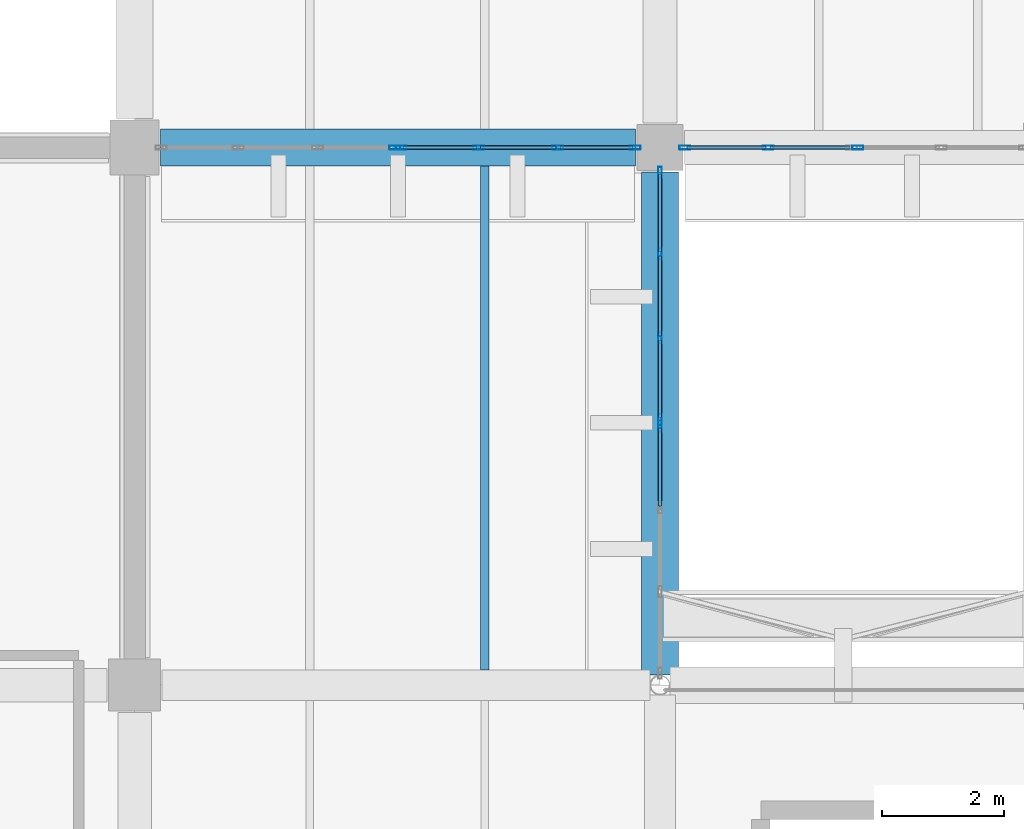
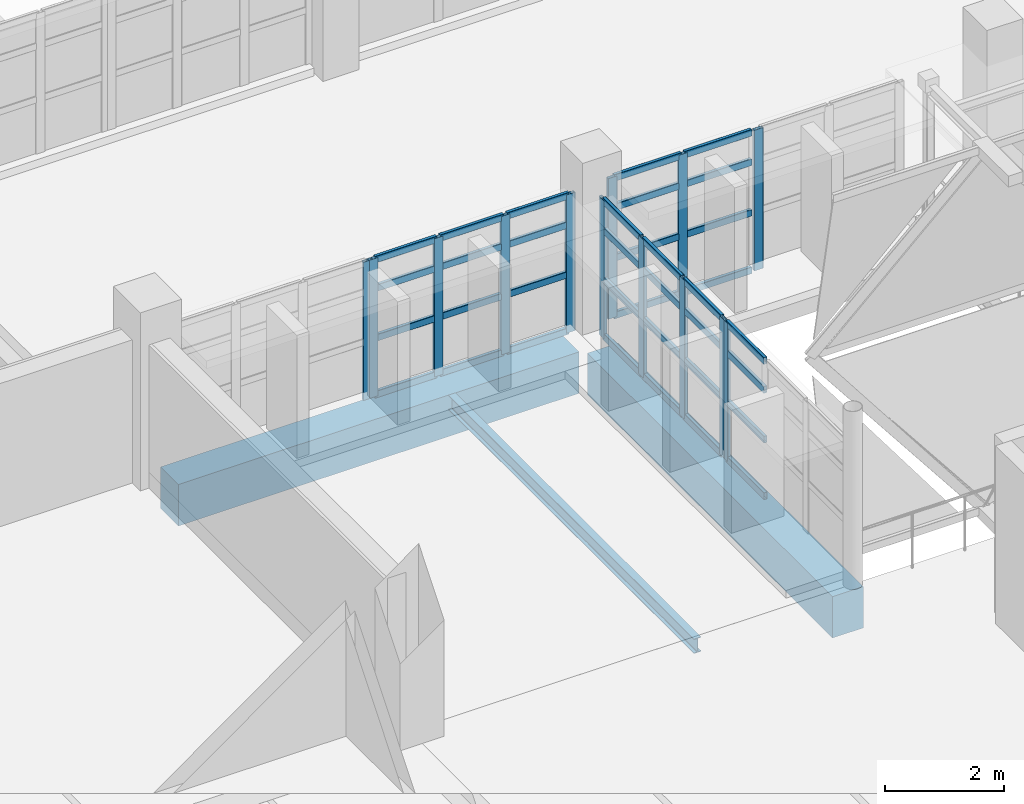
# One storey, part 23 of 80: 49 members, 3 beams, 6 elements without a shape of their own.
"""IFC4 building model written with IfcOpenShell, lengths in metres."""

from ifc_helpers import new_model, si_unit, direction, frame, origin, origin_2d, place, context, subcontext, project, spatial, rectangle, hollow_rectangle, i_section, extrude, material, material_profile, profile_set, type_object, element, aggregate, save


model = new_model("IFC4")

# Units and contexts
model_context = context("Model", 3, precision=1e-05, world=origin(), true_north=direction((0.0, 1.0)))
body_context = subcontext(model_context, "Body", "Model", "MODEL_VIEW")
ifc_project = project(units=[si_unit("LENGTHUNIT", "METRE"), si_unit("AREAUNIT", "SQUARE_METRE"), si_unit("VOLUMEUNIT", "CUBIC_METRE"), si_unit("PLANEANGLEUNIT", "RADIAN"), si_unit("MASSUNIT", "GRAM", prefix="KILO")], contexts=[model_context])

# Site, building, storey
site_placement = place(None, origin())
site = spatial("IfcSite", under=ifc_project, at=site_placement, CompositionType="ELEMENT")
building_placement = place(site_placement, origin())
building = spatial("IfcBuilding", under=site, at=building_placement, Name="Varnakota Cinema and Media Centre", CompositionType="ELEMENT")
storey_placement = place(building_placement, frame((0.0, 0.0, 4.5)))
storey = spatial("IfcBuildingStorey", under=building, at=storey_placement, Name="L01", CompositionType="ELEMENT", Elevation=4.5)

# Beams
ifc_material_1 = material(Name="Concrete M35", Category="concrete")
ifc_material_profile_1 = material_profile(ifc_material_1, rectangle(XDim=0.60009765625, YDim=0.85009765625, at=origin_2d()), Name="RCB 600x850")
ifc_profile_set_1 = profile_set([ifc_material_profile_1], Name="Concrete M35")
beam_type_1 = type_object("IfcBeamType", Name="BM-RC-600x850", PredefinedType="BEAM", material=ifc_profile_set_1)
beam_1_placement = place(storey_placement, frame((43.425048828125, 35.199951171875, -0.675048828125), z_axis=(1.0, 0.0, 0.0), x_axis=(0.0, 1.0, 0.0)))
element("IfcBeam", 1, at=beam_1_placement, inside=storey, type_object=beam_type_1, Name="L01 girder F-G/5", PredefinedType="BEAM", context=body_context, shape_type="SweptSolid", body=[
    extrude(rectangle(XDim=0.60009765625, YDim=0.85009765625, at=origin_2d()), origin(), (0.0, 0.0, 1.0), 7.77490234375),
])
beam_2_placement = place(storey_placement, frame((51.60009765625, 26.56201171875, -0.675048828125), z_axis=(0.0, 1.0, 0.0), x_axis=(-1.0, 0.0, 0.0)))
element("IfcBeam", 2, at=beam_2_placement, inside=storey, type_object=beam_type_1, Name="L01 girder G/4-5", PredefinedType="BEAM", context=body_context, shape_type="SweptSolid", body=[
    extrude(rectangle(XDim=0.60009765625, YDim=0.85009765625, at=origin_2d()), origin(), (0.0, 0.0, 1.0), 8.238037109375),
])
ifc_material_2 = material(Name="Structural steel Grade 350 (E350)", Category="steel")
ifc_material_profile_2 = material_profile(ifc_material_2, i_section(OverallWidth=0.139892578125, OverallDepth=0.300048828125, WebThickness=0.0078125, FlangeThickness=0.01318359375, FilletRadius=0.013916015625, at=origin_2d()), Name="ISMB 300")
ifc_profile_set_2 = profile_set([ifc_material_profile_2], Name="Structural steel Grade 350 (E350)")
beam_type_2 = type_object("IfcBeamType", Name="BM-ST-ISMB300", PredefinedType="JOIST", material=ifc_profile_set_2)
beam_3_placement = place(storey_placement, frame((48.7333984375, 26.64990234375, -0.39990234375), z_axis=(0.0, 1.0, 0.0), x_axis=(-1.0, 0.0, 0.0)))
element("IfcBeam", 3, at=beam_3_placement, inside=storey, type_object=beam_type_2, Name="L01 steel joist F-G/4-5 #2", PredefinedType="JOIST", context=body_context, shape_type="SweptSolid", body=[
    extrude(i_section(OverallWidth=0.139892578125, OverallDepth=0.300048828125, WebThickness=0.0078125, FlangeThickness=0.01318359375, FilletRadius=0.013916015625, at=origin_2d()), origin(), (0.0, 0.0, 1.0), 8.25),
])

# Curtain wall, member
ifc_material_3 = material(Name="Thermally broken anodised aluminium AW-6063", Category="aluminium")
curtain_wall_type_1 = type_object("IfcCurtainWallType", Name="CW-STD-279x288", PredefinedType="USERDEFINED", material=ifc_material_3)
curtain_wall_1_placement = place(storey_placement, origin())
curtain_wall_1 = element("IfcCurtainWall", 4, at=curtain_wall_1_placement, inside=storey, type_object=curtain_wall_type_1, Name="L01 curtain wall CW-L01-LINK-S-W-01-1", ObjectType="UNITISED CURTAIN WALL", PredefinedType="USERDEFINED")
ifc_material_4 = material(Name="Thermally broken anodised aluminium AW-6063", Category="aluminium")
ifc_material_profile_3 = material_profile(ifc_material_4, hollow_rectangle(XDim=0.06494140625, YDim=0.179931640625, WallThickness=0.00390625, InnerFilletRadius=0.00390625, OuterFilletRadius=0.008056640625, at=origin_2d()), Name="AL-MULLION 180x65x4")
ifc_profile_set_3 = profile_set([ifc_material_profile_3], Name="Thermally broken anodised aluminium AW-6063")
member_type_1 = type_object("IfcMemberType", Name="CWM-AL-180", PredefinedType="MULLION", material=ifc_profile_set_3)
member_1_placement = place(storey_placement, frame((54.840087890625, 35.199951171875, 0.0), z_axis=(0.0, 0.0, 1.0), x_axis=(0.0, -1.0, 0.0)))
member_1 = element("IfcMember", 5, at=member_1_placement, type_object=member_type_1, Name="CW20 mullion 3", PredefinedType="MULLION", context=body_context, shape_type="SweptSolid", body=[
    extrude(hollow_rectangle(XDim=0.06494140625, YDim=0.179931640625, WallThickness=0.00390625, InnerFilletRadius=0.00390625, OuterFilletRadius=0.008056640625, at=origin_2d()), origin(), (0.0, 0.0, 1.0), 2.885009765625),
])
aggregate(curtain_wall_1, [member_1])

# Curtain wall, members
curtain_wall_2_placement = place(storey_placement, origin())
curtain_wall_2 = element("IfcCurtainWall", 6, at=curtain_wall_2_placement, inside=storey, type_object=curtain_wall_type_1, Name="L01 curtain wall CW-L01-LINK-S-W-01-2", ObjectType="UNITISED CURTAIN WALL", PredefinedType="USERDEFINED")
member_2_placement = place(storey_placement, frame((53.371337890625, 35.199951171875, 0.0), z_axis=(0.0, 0.0, 1.0), x_axis=(0.0, -1.0, 0.0)))
member_2 = element("IfcMember", 7, at=member_2_placement, type_object=member_type_1, Name="CW20 mullion 2", PredefinedType="MULLION", context=body_context, shape_type="SweptSolid", body=[
    extrude(hollow_rectangle(XDim=0.06494140625, YDim=0.179931640625, WallThickness=0.00390625, InnerFilletRadius=0.00390625, OuterFilletRadius=0.008056640625, at=origin_2d()), origin(), (0.0, 0.0, 1.0), 2.885009765625),
])
member_3_placement = place(storey_placement, frame((52.007568359375, 35.199951171875, 0.0), z_axis=(0.0, 0.0, 1.0), x_axis=(0.0, -1.0, 0.0)))
member_3 = element("IfcMember", 8, at=member_3_placement, type_object=member_type_1, Name="CW20 mullion 3", PredefinedType="MULLION", context=body_context, shape_type="SweptSolid", body=[
    extrude(hollow_rectangle(XDim=0.06494140625, YDim=0.179931640625, WallThickness=0.00390625, InnerFilletRadius=0.00390625, OuterFilletRadius=0.008056640625, at=origin_2d()), origin(), (0.0, 0.0, 1.0), 2.885009765625),
])

ifc_material_5 = material(Name="Thermally broken anodised aluminium AW-6063", Category="aluminium")
curtain_wall_type_2 = type_object("IfcCurtainWallType", Name="CW-STD-389x284", PredefinedType="USERDEFINED", material=ifc_material_5)
curtain_wall_3_placement = place(storey_placement, origin())
curtain_wall_3 = element("IfcCurtainWall", 9, at=curtain_wall_3_placement, inside=storey, type_object=curtain_wall_type_2, Name="L01 curtain wall CW-L01-LINK-S-W-02-1", ObjectType="UNITISED CURTAIN WALL", PredefinedType="USERDEFINED")
member_4_placement = place(storey_placement, frame((51.1923828125, 35.199951171875, 0.0), z_axis=(0.0, 0.0, 1.0), x_axis=(0.0, -1.0, 0.0)))
member_4 = element("IfcMember", 10, at=member_4_placement, type_object=member_type_1, Name="CW21 mullion 1", PredefinedType="MULLION", context=body_context, shape_type="SweptSolid", body=[
    extrude(hollow_rectangle(XDim=0.06494140625, YDim=0.179931640625, WallThickness=0.00390625, InnerFilletRadius=0.00390625, OuterFilletRadius=0.008056640625, at=origin_2d()), origin(), (0.0, 0.0, 1.0), 2.8349609375),
])
member_5_placement = place(storey_placement, frame((49.927490234375, 35.199951171875, 0.0), z_axis=(0.0, 0.0, 1.0), x_axis=(0.0, -1.0, 0.0)))
member_5 = element("IfcMember", 11, at=member_5_placement, type_object=member_type_1, Name="CW21 mullion 2", PredefinedType="MULLION", context=body_context, shape_type="SweptSolid", body=[
    extrude(hollow_rectangle(XDim=0.06494140625, YDim=0.179931640625, WallThickness=0.00390625, InnerFilletRadius=0.00390625, OuterFilletRadius=0.008056640625, at=origin_2d()), origin(), (0.0, 0.0, 1.0), 2.8349609375),
])
member_6_placement = place(storey_placement, frame((48.6298828125, 35.199951171875, 0.0), z_axis=(0.0, 0.0, 1.0), x_axis=(0.0, -1.0, 0.0)))
member_6 = element("IfcMember", 12, at=member_6_placement, type_object=member_type_1, Name="CW21 mullion 3", PredefinedType="MULLION", context=body_context, shape_type="SweptSolid", body=[
    extrude(hollow_rectangle(XDim=0.06494140625, YDim=0.179931640625, WallThickness=0.00390625, InnerFilletRadius=0.00390625, OuterFilletRadius=0.008056640625, at=origin_2d()), origin(), (0.0, 0.0, 1.0), 2.8349609375),
])
member_7_placement = place(storey_placement, frame((47.364990234375, 35.199951171875, 0.0), z_axis=(0.0, 0.0, 1.0), x_axis=(0.0, -1.0, 0.0)))
member_7 = element("IfcMember", 13, at=member_7_placement, type_object=member_type_1, Name="CW21 mullion 4", PredefinedType="MULLION", context=body_context, shape_type="SweptSolid", body=[
    extrude(hollow_rectangle(XDim=0.06494140625, YDim=0.179931640625, WallThickness=0.00390625, InnerFilletRadius=0.00390625, OuterFilletRadius=0.008056640625, at=origin_2d()), origin(), (0.0, 0.0, 1.0), 2.8349609375),
])

# Curtain wall, member
curtain_wall_4_placement = place(storey_placement, origin())
curtain_wall_4 = element("IfcCurtainWall", 14, at=curtain_wall_4_placement, inside=storey, type_object=curtain_wall_type_2, Name="L01 curtain wall CW-L01-LINK-S-W-02-2", ObjectType="UNITISED CURTAIN WALL", PredefinedType="USERDEFINED")
member_8_placement = place(storey_placement, frame((47.260009765625, 35.199951171875, 0.0), z_axis=(0.0, 0.0, 1.0), x_axis=(0.0, -1.0, 0.0)))
member_8 = element("IfcMember", 15, at=member_8_placement, type_object=member_type_1, Name="CW21 mullion 1", PredefinedType="MULLION", context=body_context, shape_type="SweptSolid", body=[
    extrude(hollow_rectangle(XDim=0.06494140625, YDim=0.179931640625, WallThickness=0.00390625, InnerFilletRadius=0.00390625, OuterFilletRadius=0.008056640625, at=origin_2d()), origin(), (0.0, 0.0, 1.0), 2.8349609375),
])
aggregate(curtain_wall_4, [member_8])

ifc_material_6 = material(Name="Thermally broken anodised aluminium AW-6063", Category="aluminium")
curtain_wall_type_3 = type_object("IfcCurtainWallType", Name="CW-STD-411x284", PredefinedType="USERDEFINED", material=ifc_material_6)
curtain_wall_5_placement = place(storey_placement, origin())
curtain_wall_5 = element("IfcCurtainWall", 16, at=curtain_wall_5_placement, inside=storey, type_object=curtain_wall_type_3, Name="L01 curtain wall CW-L01-WLINK-E-01-1", ObjectType="UNITISED CURTAIN WALL", PredefinedType="USERDEFINED")
member_9_placement = place(storey_placement, frame((51.60009765625, 30.64111328125, 0.0), z_axis=(0.0, 0.0, 1.0), x_axis=(-1.0, 0.0, 0.0)))
member_9 = element("IfcMember", 17, at=member_9_placement, type_object=member_type_1, Name="CW24 mullion 4", PredefinedType="MULLION", context=body_context, shape_type="SweptSolid", body=[
    extrude(hollow_rectangle(XDim=0.06494140625, YDim=0.179931640625, WallThickness=0.00390625, InnerFilletRadius=0.00390625, OuterFilletRadius=0.008056640625, at=origin_2d()), origin(), (0.0, 0.0, 1.0), 2.8349609375),
])

# Curtain wall, members
curtain_wall_6_placement = place(storey_placement, origin())
curtain_wall_6 = element("IfcCurtainWall", 18, at=curtain_wall_6_placement, inside=storey, type_object=curtain_wall_type_3, Name="L01 curtain wall CW-L01-WLINK-E-01-2", ObjectType="UNITISED CURTAIN WALL", PredefinedType="USERDEFINED")
member_10_placement = place(storey_placement, frame((51.60009765625, 30.74609375, 0.0), z_axis=(0.0, 0.0, 1.0), x_axis=(-1.0, 0.0, 0.0)))
member_10 = element("IfcMember", 19, at=member_10_placement, type_object=member_type_1, Name="CW24 mullion 1", PredefinedType="MULLION", context=body_context, shape_type="SweptSolid", body=[
    extrude(hollow_rectangle(XDim=0.06494140625, YDim=0.179931640625, WallThickness=0.00390625, InnerFilletRadius=0.00390625, OuterFilletRadius=0.008056640625, at=origin_2d()), origin(), (0.0, 0.0, 1.0), 2.8349609375),
])
member_11_placement = place(storey_placement, frame((51.60009765625, 32.083984375, 0.0), z_axis=(0.0, 0.0, 1.0), x_axis=(-1.0, 0.0, 0.0)))
member_11 = element("IfcMember", 20, at=member_11_placement, type_object=member_type_1, Name="CW24 mullion 2", PredefinedType="MULLION", context=body_context, shape_type="SweptSolid", body=[
    extrude(hollow_rectangle(XDim=0.06494140625, YDim=0.179931640625, WallThickness=0.00390625, InnerFilletRadius=0.00390625, OuterFilletRadius=0.008056640625, at=origin_2d()), origin(), (0.0, 0.0, 1.0), 2.8349609375),
])
member_12_placement = place(storey_placement, frame((51.60009765625, 33.45458984375, 0.0), z_axis=(0.0, 0.0, 1.0), x_axis=(-1.0, 0.0, 0.0)))
member_12 = element("IfcMember", 21, at=member_12_placement, type_object=member_type_1, Name="CW24 mullion 3", PredefinedType="MULLION", context=body_context, shape_type="SweptSolid", body=[
    extrude(hollow_rectangle(XDim=0.06494140625, YDim=0.179931640625, WallThickness=0.00390625, InnerFilletRadius=0.00390625, OuterFilletRadius=0.008056640625, at=origin_2d()), origin(), (0.0, 0.0, 1.0), 2.8349609375),
])
member_13_placement = place(storey_placement, frame((51.60009765625, 34.79248046875, 0.0), z_axis=(0.0, 0.0, 1.0), x_axis=(-1.0, 0.0, 0.0)))
member_13 = element("IfcMember", 22, at=member_13_placement, type_object=member_type_1, Name="CW24 mullion 4", PredefinedType="MULLION", context=body_context, shape_type="SweptSolid", body=[
    extrude(hollow_rectangle(XDim=0.06494140625, YDim=0.179931640625, WallThickness=0.00390625, InnerFilletRadius=0.00390625, OuterFilletRadius=0.008056640625, at=origin_2d()), origin(), (0.0, 0.0, 1.0), 2.8349609375),
])

# Member
ifc_material_7 = material(Name="Thermally broken anodised aluminium AW-6063", Category="aluminium")
ifc_material_profile_4 = material_profile(ifc_material_7, hollow_rectangle(XDim=0.06494140625, YDim=0.139892578125, WallThickness=0.00390625, InnerFilletRadius=0.00390625, OuterFilletRadius=0.008056640625, at=origin_2d()), Name="AL-TRANSOM 140x65x4")
ifc_profile_set_4 = profile_set([ifc_material_profile_4], Name="Thermally broken anodised aluminium AW-6063")
member_type_2 = type_object("IfcMemberType", Name="CWT-AL-140", PredefinedType="USERDEFINED", material=ifc_profile_set_4)
member_14_placement = place(storey_placement, frame((54.702392578125, 35.199951171875, 0.032470703125), z_axis=(-1.0, 0.0, 0.0), x_axis=(0.0, -1.0, 0.0)))
member_14 = element("IfcMember", 23, at=member_14_placement, type_object=member_type_2, Name="CW20 transom 1.1", ObjectType="TRANSOM", PredefinedType="USERDEFINED", context=body_context, shape_type="SweptSolid", body=[
    extrude(hollow_rectangle(XDim=0.06494140625, YDim=0.139892578125, WallThickness=0.00390625, InnerFilletRadius=0.00390625, OuterFilletRadius=0.008056640625, at=origin_2d()), origin(), (0.0, 0.0, 1.0), 1.298583984375),
])

member_15_placement = place(storey_placement, frame((54.702392578125, 35.199951171875, 1.211669921875), z_axis=(-1.0, 0.0, 0.0), x_axis=(0.0, -1.0, 0.0)))
member_15 = element("IfcMember", 24, at=member_15_placement, type_object=member_type_2, Name="CW20 transom 1.2", ObjectType="TRANSOM", PredefinedType="USERDEFINED", context=body_context, shape_type="SweptSolid", body=[
    extrude(hollow_rectangle(XDim=0.06494140625, YDim=0.139892578125, WallThickness=0.00390625, InnerFilletRadius=0.00390625, OuterFilletRadius=0.008056640625, at=origin_2d()), origin(), (0.0, 0.0, 1.0), 1.298583984375),
])

member_16_placement = place(storey_placement, frame((54.702392578125, 35.199951171875, 2.250244140625), z_axis=(-1.0, 0.0, 0.0), x_axis=(0.0, -1.0, 0.0)))
member_16 = element("IfcMember", 25, at=member_16_placement, type_object=member_type_2, Name="CW20 transom 1.3", ObjectType="TRANSOM", PredefinedType="USERDEFINED", context=body_context, shape_type="SweptSolid", body=[
    extrude(hollow_rectangle(XDim=0.06494140625, YDim=0.139892578125, WallThickness=0.00390625, InnerFilletRadius=0.00390625, OuterFilletRadius=0.008056640625, at=origin_2d()), origin(), (0.0, 0.0, 1.0), 1.298583984375),
])

member_17_placement = place(storey_placement, frame((54.702392578125, 35.199951171875, 2.8525390625), z_axis=(-1.0, 0.0, 0.0), x_axis=(0.0, -1.0, 0.0)))
member_17 = element("IfcMember", 26, at=member_17_placement, type_object=member_type_2, Name="CW20 transom 1.4", ObjectType="TRANSOM", PredefinedType="USERDEFINED", context=body_context, shape_type="SweptSolid", body=[
    extrude(hollow_rectangle(XDim=0.06494140625, YDim=0.139892578125, WallThickness=0.00390625, InnerFilletRadius=0.00390625, OuterFilletRadius=0.008056640625, at=origin_2d()), origin(), (0.0, 0.0, 1.0), 1.298583984375),
])

member_18_placement = place(storey_placement, frame((53.3388671875, 35.199951171875, 0.032470703125), z_axis=(-1.0, 0.0, 0.0), x_axis=(0.0, -1.0, 0.0)))
member_18 = element("IfcMember", 27, at=member_18_placement, type_object=member_type_2, Name="CW20 transom 2.1", ObjectType="TRANSOM", PredefinedType="USERDEFINED", context=body_context, shape_type="SweptSolid", body=[
    extrude(hollow_rectangle(XDim=0.06494140625, YDim=0.139892578125, WallThickness=0.00390625, InnerFilletRadius=0.00390625, OuterFilletRadius=0.008056640625, at=origin_2d()), origin(), (0.0, 0.0, 1.0), 1.298828125),
])

member_19_placement = place(storey_placement, frame((53.3388671875, 35.199951171875, 1.211669921875), z_axis=(-1.0, 0.0, 0.0), x_axis=(0.0, -1.0, 0.0)))
member_19 = element("IfcMember", 28, at=member_19_placement, type_object=member_type_2, Name="CW20 transom 2.2", ObjectType="TRANSOM", PredefinedType="USERDEFINED", context=body_context, shape_type="SweptSolid", body=[
    extrude(hollow_rectangle(XDim=0.06494140625, YDim=0.139892578125, WallThickness=0.00390625, InnerFilletRadius=0.00390625, OuterFilletRadius=0.008056640625, at=origin_2d()), origin(), (0.0, 0.0, 1.0), 1.298828125),
])

member_20_placement = place(storey_placement, frame((53.3388671875, 35.199951171875, 2.250244140625), z_axis=(-1.0, 0.0, 0.0), x_axis=(0.0, -1.0, 0.0)))
member_20 = element("IfcMember", 29, at=member_20_placement, type_object=member_type_2, Name="CW20 transom 2.3", ObjectType="TRANSOM", PredefinedType="USERDEFINED", context=body_context, shape_type="SweptSolid", body=[
    extrude(hollow_rectangle(XDim=0.06494140625, YDim=0.139892578125, WallThickness=0.00390625, InnerFilletRadius=0.00390625, OuterFilletRadius=0.008056640625, at=origin_2d()), origin(), (0.0, 0.0, 1.0), 1.298828125),
])

member_21_placement = place(storey_placement, frame((53.3388671875, 35.199951171875, 2.8525390625), z_axis=(-1.0, 0.0, 0.0), x_axis=(0.0, -1.0, 0.0)))
member_21 = element("IfcMember", 30, at=member_21_placement, type_object=member_type_2, Name="CW20 transom 2.4", ObjectType="TRANSOM", PredefinedType="USERDEFINED", context=body_context, shape_type="SweptSolid", body=[
    extrude(hollow_rectangle(XDim=0.06494140625, YDim=0.139892578125, WallThickness=0.00390625, InnerFilletRadius=0.00390625, OuterFilletRadius=0.008056640625, at=origin_2d()), origin(), (0.0, 0.0, 1.0), 1.298828125),
])

aggregate(curtain_wall_2, [member_2, member_3, member_14, member_15, member_16, member_17, member_18, member_19, member_20, member_21])

member_22_placement = place(storey_placement, frame((51.159912109375, 35.199951171875, 0.032470703125), z_axis=(-1.0, 0.0, 0.0), x_axis=(0.0, -1.0, 0.0)))
member_22 = element("IfcMember", 31, at=member_22_placement, type_object=member_type_2, Name="CW21 transom 1.1", ObjectType="TRANSOM", PredefinedType="USERDEFINED", context=body_context, shape_type="SweptSolid", body=[
    extrude(hollow_rectangle(XDim=0.06494140625, YDim=0.139892578125, WallThickness=0.00390625, InnerFilletRadius=0.00390625, OuterFilletRadius=0.008056640625, at=origin_2d()), origin(), (0.0, 0.0, 1.0), 1.199951171875),
])

member_23_placement = place(storey_placement, frame((51.159912109375, 35.199951171875, 1.190673828125), z_axis=(-1.0, 0.0, 0.0), x_axis=(0.0, -1.0, 0.0)))
member_23 = element("IfcMember", 32, at=member_23_placement, type_object=member_type_2, Name="CW21 transom 1.2", ObjectType="TRANSOM", PredefinedType="USERDEFINED", context=body_context, shape_type="SweptSolid", body=[
    extrude(hollow_rectangle(XDim=0.06494140625, YDim=0.139892578125, WallThickness=0.00390625, InnerFilletRadius=0.00390625, OuterFilletRadius=0.008056640625, at=origin_2d()), origin(), (0.0, 0.0, 1.0), 1.199951171875),
])

member_24_placement = place(storey_placement, frame((51.159912109375, 35.199951171875, 2.211181640625), z_axis=(-1.0, 0.0, 0.0), x_axis=(0.0, -1.0, 0.0)))
member_24 = element("IfcMember", 33, at=member_24_placement, type_object=member_type_2, Name="CW21 transom 1.3", ObjectType="TRANSOM", PredefinedType="USERDEFINED", context=body_context, shape_type="SweptSolid", body=[
    extrude(hollow_rectangle(XDim=0.06494140625, YDim=0.139892578125, WallThickness=0.00390625, InnerFilletRadius=0.00390625, OuterFilletRadius=0.008056640625, at=origin_2d()), origin(), (0.0, 0.0, 1.0), 1.199951171875),
])

member_25_placement = place(storey_placement, frame((51.159912109375, 35.199951171875, 2.802490234375), z_axis=(-1.0, 0.0, 0.0), x_axis=(0.0, -1.0, 0.0)))
member_25 = element("IfcMember", 34, at=member_25_placement, type_object=member_type_2, Name="CW21 transom 1.4", ObjectType="TRANSOM", PredefinedType="USERDEFINED", context=body_context, shape_type="SweptSolid", body=[
    extrude(hollow_rectangle(XDim=0.06494140625, YDim=0.139892578125, WallThickness=0.00390625, InnerFilletRadius=0.00390625, OuterFilletRadius=0.008056640625, at=origin_2d()), origin(), (0.0, 0.0, 1.0), 1.199951171875),
])

member_26_placement = place(storey_placement, frame((49.89501953125, 35.199951171875, 0.032470703125), z_axis=(-1.0, 0.0, 0.0), x_axis=(0.0, -1.0, 0.0)))
member_26 = element("IfcMember", 35, at=member_26_placement, type_object=member_type_2, Name="CW21 transom 2.1", ObjectType="TRANSOM", PredefinedType="USERDEFINED", context=body_context, shape_type="SweptSolid", body=[
    extrude(hollow_rectangle(XDim=0.06494140625, YDim=0.139892578125, WallThickness=0.00390625, InnerFilletRadius=0.00390625, OuterFilletRadius=0.008056640625, at=origin_2d()), origin(), (0.0, 0.0, 1.0), 1.232421875),
])

member_27_placement = place(storey_placement, frame((49.89501953125, 35.199951171875, 1.190673828125), z_axis=(-1.0, 0.0, 0.0), x_axis=(0.0, -1.0, 0.0)))
member_27 = element("IfcMember", 36, at=member_27_placement, type_object=member_type_2, Name="CW21 transom 2.2", ObjectType="TRANSOM", PredefinedType="USERDEFINED", context=body_context, shape_type="SweptSolid", body=[
    extrude(hollow_rectangle(XDim=0.06494140625, YDim=0.139892578125, WallThickness=0.00390625, InnerFilletRadius=0.00390625, OuterFilletRadius=0.008056640625, at=origin_2d()), origin(), (0.0, 0.0, 1.0), 1.232421875),
])

member_28_placement = place(storey_placement, frame((49.89501953125, 35.199951171875, 2.211181640625), z_axis=(-1.0, 0.0, 0.0), x_axis=(0.0, -1.0, 0.0)))
member_28 = element("IfcMember", 37, at=member_28_placement, type_object=member_type_2, Name="CW21 transom 2.3", ObjectType="TRANSOM", PredefinedType="USERDEFINED", context=body_context, shape_type="SweptSolid", body=[
    extrude(hollow_rectangle(XDim=0.06494140625, YDim=0.139892578125, WallThickness=0.00390625, InnerFilletRadius=0.00390625, OuterFilletRadius=0.008056640625, at=origin_2d()), origin(), (0.0, 0.0, 1.0), 1.232421875),
])

member_29_placement = place(storey_placement, frame((49.89501953125, 35.199951171875, 2.802490234375), z_axis=(-1.0, 0.0, 0.0), x_axis=(0.0, -1.0, 0.0)))
member_29 = element("IfcMember", 38, at=member_29_placement, type_object=member_type_2, Name="CW21 transom 2.4", ObjectType="TRANSOM", PredefinedType="USERDEFINED", context=body_context, shape_type="SweptSolid", body=[
    extrude(hollow_rectangle(XDim=0.06494140625, YDim=0.139892578125, WallThickness=0.00390625, InnerFilletRadius=0.00390625, OuterFilletRadius=0.008056640625, at=origin_2d()), origin(), (0.0, 0.0, 1.0), 1.232421875),
])

member_30_placement = place(storey_placement, frame((48.597412109375, 35.199951171875, 0.032470703125), z_axis=(-1.0, 0.0, 0.0), x_axis=(0.0, -1.0, 0.0)))
member_30 = element("IfcMember", 39, at=member_30_placement, type_object=member_type_2, Name="CW21 transom 3.1", ObjectType="TRANSOM", PredefinedType="USERDEFINED", context=body_context, shape_type="SweptSolid", body=[
    extrude(hollow_rectangle(XDim=0.06494140625, YDim=0.139892578125, WallThickness=0.00390625, InnerFilletRadius=0.00390625, OuterFilletRadius=0.008056640625, at=origin_2d()), origin(), (0.0, 0.0, 1.0), 1.199951171875),
])

member_31_placement = place(storey_placement, frame((48.597412109375, 35.199951171875, 1.190673828125), z_axis=(-1.0, 0.0, 0.0), x_axis=(0.0, -1.0, 0.0)))
member_31 = element("IfcMember", 40, at=member_31_placement, type_object=member_type_2, Name="CW21 transom 3.2", ObjectType="TRANSOM", PredefinedType="USERDEFINED", context=body_context, shape_type="SweptSolid", body=[
    extrude(hollow_rectangle(XDim=0.06494140625, YDim=0.139892578125, WallThickness=0.00390625, InnerFilletRadius=0.00390625, OuterFilletRadius=0.008056640625, at=origin_2d()), origin(), (0.0, 0.0, 1.0), 1.199951171875),
])

member_32_placement = place(storey_placement, frame((48.597412109375, 35.199951171875, 2.211181640625), z_axis=(-1.0, 0.0, 0.0), x_axis=(0.0, -1.0, 0.0)))
member_32 = element("IfcMember", 41, at=member_32_placement, type_object=member_type_2, Name="CW21 transom 3.3", ObjectType="TRANSOM", PredefinedType="USERDEFINED", context=body_context, shape_type="SweptSolid", body=[
    extrude(hollow_rectangle(XDim=0.06494140625, YDim=0.139892578125, WallThickness=0.00390625, InnerFilletRadius=0.00390625, OuterFilletRadius=0.008056640625, at=origin_2d()), origin(), (0.0, 0.0, 1.0), 1.199951171875),
])

member_33_placement = place(storey_placement, frame((48.597412109375, 35.199951171875, 2.802490234375), z_axis=(-1.0, 0.0, 0.0), x_axis=(0.0, -1.0, 0.0)))
member_33 = element("IfcMember", 42, at=member_33_placement, type_object=member_type_2, Name="CW21 transom 3.4", ObjectType="TRANSOM", PredefinedType="USERDEFINED", context=body_context, shape_type="SweptSolid", body=[
    extrude(hollow_rectangle(XDim=0.06494140625, YDim=0.139892578125, WallThickness=0.00390625, InnerFilletRadius=0.00390625, OuterFilletRadius=0.008056640625, at=origin_2d()), origin(), (0.0, 0.0, 1.0), 1.199951171875),
])

aggregate(curtain_wall_3, [member_4, member_5, member_6, member_7, member_22, member_23, member_24, member_25, member_26, member_27, member_28, member_29, member_30, member_31, member_32, member_33])

member_34_placement = place(storey_placement, frame((51.60009765625, 29.33544921875, 0.032470703125), z_axis=(0.0, 1.0, 0.0), x_axis=(-1.0, 0.0, 0.0)))
member_34 = element("IfcMember", 43, at=member_34_placement, type_object=member_type_2, Name="CW24 transom 3.1", ObjectType="TRANSOM", PredefinedType="USERDEFINED", context=body_context, shape_type="SweptSolid", body=[
    extrude(hollow_rectangle(XDim=0.06494140625, YDim=0.139892578125, WallThickness=0.00390625, InnerFilletRadius=0.00390625, OuterFilletRadius=0.008056640625, at=origin_2d()), origin(), (0.0, 0.0, 1.0), 1.27294921875),
])

member_35_placement = place(storey_placement, frame((51.60009765625, 29.33544921875, 1.190673828125), z_axis=(0.0, 1.0, 0.0), x_axis=(-1.0, 0.0, 0.0)))
member_35 = element("IfcMember", 44, at=member_35_placement, type_object=member_type_2, Name="CW24 transom 3.2", ObjectType="TRANSOM", PredefinedType="USERDEFINED", context=body_context, shape_type="SweptSolid", body=[
    extrude(hollow_rectangle(XDim=0.06494140625, YDim=0.139892578125, WallThickness=0.00390625, InnerFilletRadius=0.00390625, OuterFilletRadius=0.008056640625, at=origin_2d()), origin(), (0.0, 0.0, 1.0), 1.27294921875),
])

member_36_placement = place(storey_placement, frame((51.60009765625, 29.33544921875, 2.211181640625), z_axis=(0.0, 1.0, 0.0), x_axis=(-1.0, 0.0, 0.0)))
member_36 = element("IfcMember", 45, at=member_36_placement, type_object=member_type_2, Name="CW24 transom 3.3", ObjectType="TRANSOM", PredefinedType="USERDEFINED", context=body_context, shape_type="SweptSolid", body=[
    extrude(hollow_rectangle(XDim=0.06494140625, YDim=0.139892578125, WallThickness=0.00390625, InnerFilletRadius=0.00390625, OuterFilletRadius=0.008056640625, at=origin_2d()), origin(), (0.0, 0.0, 1.0), 1.27294921875),
])

member_37_placement = place(storey_placement, frame((51.60009765625, 29.33544921875, 2.802490234375), z_axis=(0.0, 1.0, 0.0), x_axis=(-1.0, 0.0, 0.0)))
member_37 = element("IfcMember", 46, at=member_37_placement, type_object=member_type_2, Name="CW24 transom 3.4", ObjectType="TRANSOM", PredefinedType="USERDEFINED", context=body_context, shape_type="SweptSolid", body=[
    extrude(hollow_rectangle(XDim=0.06494140625, YDim=0.139892578125, WallThickness=0.00390625, InnerFilletRadius=0.00390625, OuterFilletRadius=0.008056640625, at=origin_2d()), origin(), (0.0, 0.0, 1.0), 1.27294921875),
])

aggregate(curtain_wall_5, [member_9, member_34, member_35, member_36, member_37])

member_38_placement = place(storey_placement, frame((51.60009765625, 30.778564453125, 0.032470703125), z_axis=(0.0, 1.0, 0.0), x_axis=(-1.0, 0.0, 0.0)))
member_38 = element("IfcMember", 47, at=member_38_placement, type_object=member_type_2, Name="CW24 transom 1.1", ObjectType="TRANSOM", PredefinedType="USERDEFINED", context=body_context, shape_type="SweptSolid", body=[
    extrude(hollow_rectangle(XDim=0.06494140625, YDim=0.139892578125, WallThickness=0.00390625, InnerFilletRadius=0.00390625, OuterFilletRadius=0.008056640625, at=origin_2d()), origin(), (0.0, 0.0, 1.0), 1.27294921875),
])

member_39_placement = place(storey_placement, frame((51.60009765625, 30.778564453125, 1.190673828125), z_axis=(0.0, 1.0, 0.0), x_axis=(-1.0, 0.0, 0.0)))
member_39 = element("IfcMember", 48, at=member_39_placement, type_object=member_type_2, Name="CW24 transom 1.2", ObjectType="TRANSOM", PredefinedType="USERDEFINED", context=body_context, shape_type="SweptSolid", body=[
    extrude(hollow_rectangle(XDim=0.06494140625, YDim=0.139892578125, WallThickness=0.00390625, InnerFilletRadius=0.00390625, OuterFilletRadius=0.008056640625, at=origin_2d()), origin(), (0.0, 0.0, 1.0), 1.27294921875),
])

member_40_placement = place(storey_placement, frame((51.60009765625, 30.778564453125, 2.211181640625), z_axis=(0.0, 1.0, 0.0), x_axis=(-1.0, 0.0, 0.0)))
member_40 = element("IfcMember", 49, at=member_40_placement, type_object=member_type_2, Name="CW24 transom 1.3", ObjectType="TRANSOM", PredefinedType="USERDEFINED", context=body_context, shape_type="SweptSolid", body=[
    extrude(hollow_rectangle(XDim=0.06494140625, YDim=0.139892578125, WallThickness=0.00390625, InnerFilletRadius=0.00390625, OuterFilletRadius=0.008056640625, at=origin_2d()), origin(), (0.0, 0.0, 1.0), 1.27294921875),
])

member_41_placement = place(storey_placement, frame((51.60009765625, 30.778564453125, 2.802490234375), z_axis=(0.0, 1.0, 0.0), x_axis=(-1.0, 0.0, 0.0)))
member_41 = element("IfcMember", 50, at=member_41_placement, type_object=member_type_2, Name="CW24 transom 1.4", ObjectType="TRANSOM", PredefinedType="USERDEFINED", context=body_context, shape_type="SweptSolid", body=[
    extrude(hollow_rectangle(XDim=0.06494140625, YDim=0.139892578125, WallThickness=0.00390625, InnerFilletRadius=0.00390625, OuterFilletRadius=0.008056640625, at=origin_2d()), origin(), (0.0, 0.0, 1.0), 1.27294921875),
])

member_42_placement = place(storey_placement, frame((51.60009765625, 32.116455078125, 0.032470703125), z_axis=(0.0, 1.0, 0.0), x_axis=(-1.0, 0.0, 0.0)))
member_42 = element("IfcMember", 51, at=member_42_placement, type_object=member_type_2, Name="CW24 transom 2.1", ObjectType="TRANSOM", PredefinedType="USERDEFINED", context=body_context, shape_type="SweptSolid", body=[
    extrude(hollow_rectangle(XDim=0.06494140625, YDim=0.139892578125, WallThickness=0.00390625, InnerFilletRadius=0.00390625, OuterFilletRadius=0.008056640625, at=origin_2d()), origin(), (0.0, 0.0, 1.0), 1.3056640625),
])

member_43_placement = place(storey_placement, frame((51.60009765625, 32.116455078125, 1.190673828125), z_axis=(0.0, 1.0, 0.0), x_axis=(-1.0, 0.0, 0.0)))
member_43 = element("IfcMember", 52, at=member_43_placement, type_object=member_type_2, Name="CW24 transom 2.2", ObjectType="TRANSOM", PredefinedType="USERDEFINED", context=body_context, shape_type="SweptSolid", body=[
    extrude(hollow_rectangle(XDim=0.06494140625, YDim=0.139892578125, WallThickness=0.00390625, InnerFilletRadius=0.00390625, OuterFilletRadius=0.008056640625, at=origin_2d()), origin(), (0.0, 0.0, 1.0), 1.3056640625),
])

member_44_placement = place(storey_placement, frame((51.60009765625, 32.116455078125, 2.211181640625), z_axis=(0.0, 1.0, 0.0), x_axis=(-1.0, 0.0, 0.0)))
member_44 = element("IfcMember", 53, at=member_44_placement, type_object=member_type_2, Name="CW24 transom 2.3", ObjectType="TRANSOM", PredefinedType="USERDEFINED", context=body_context, shape_type="SweptSolid", body=[
    extrude(hollow_rectangle(XDim=0.06494140625, YDim=0.139892578125, WallThickness=0.00390625, InnerFilletRadius=0.00390625, OuterFilletRadius=0.008056640625, at=origin_2d()), origin(), (0.0, 0.0, 1.0), 1.3056640625),
])

member_45_placement = place(storey_placement, frame((51.60009765625, 32.116455078125, 2.802490234375), z_axis=(0.0, 1.0, 0.0), x_axis=(-1.0, 0.0, 0.0)))
member_45 = element("IfcMember", 54, at=member_45_placement, type_object=member_type_2, Name="CW24 transom 2.4", ObjectType="TRANSOM", PredefinedType="USERDEFINED", context=body_context, shape_type="SweptSolid", body=[
    extrude(hollow_rectangle(XDim=0.06494140625, YDim=0.139892578125, WallThickness=0.00390625, InnerFilletRadius=0.00390625, OuterFilletRadius=0.008056640625, at=origin_2d()), origin(), (0.0, 0.0, 1.0), 1.3056640625),
])

member_46_placement = place(storey_placement, frame((51.60009765625, 33.487060546875, 0.032470703125), z_axis=(0.0, 1.0, 0.0), x_axis=(-1.0, 0.0, 0.0)))
member_46 = element("IfcMember", 55, at=member_46_placement, type_object=member_type_2, Name="CW24 transom 3.1", ObjectType="TRANSOM", PredefinedType="USERDEFINED", context=body_context, shape_type="SweptSolid", body=[
    extrude(hollow_rectangle(XDim=0.06494140625, YDim=0.139892578125, WallThickness=0.00390625, InnerFilletRadius=0.00390625, OuterFilletRadius=0.008056640625, at=origin_2d()), origin(), (0.0, 0.0, 1.0), 1.27294921875),
])

member_47_placement = place(storey_placement, frame((51.60009765625, 33.487060546875, 1.190673828125), z_axis=(0.0, 1.0, 0.0), x_axis=(-1.0, 0.0, 0.0)))
member_47 = element("IfcMember", 56, at=member_47_placement, type_object=member_type_2, Name="CW24 transom 3.2", ObjectType="TRANSOM", PredefinedType="USERDEFINED", context=body_context, shape_type="SweptSolid", body=[
    extrude(hollow_rectangle(XDim=0.06494140625, YDim=0.139892578125, WallThickness=0.00390625, InnerFilletRadius=0.00390625, OuterFilletRadius=0.008056640625, at=origin_2d()), origin(), (0.0, 0.0, 1.0), 1.27294921875),
])

member_48_placement = place(storey_placement, frame((51.60009765625, 33.487060546875, 2.211181640625), z_axis=(0.0, 1.0, 0.0), x_axis=(-1.0, 0.0, 0.0)))
member_48 = element("IfcMember", 57, at=member_48_placement, type_object=member_type_2, Name="CW24 transom 3.3", ObjectType="TRANSOM", PredefinedType="USERDEFINED", context=body_context, shape_type="SweptSolid", body=[
    extrude(hollow_rectangle(XDim=0.06494140625, YDim=0.139892578125, WallThickness=0.00390625, InnerFilletRadius=0.00390625, OuterFilletRadius=0.008056640625, at=origin_2d()), origin(), (0.0, 0.0, 1.0), 1.27294921875),
])

member_49_placement = place(storey_placement, frame((51.60009765625, 33.487060546875, 2.802490234375), z_axis=(0.0, 1.0, 0.0), x_axis=(-1.0, 0.0, 0.0)))
member_49 = element("IfcMember", 58, at=member_49_placement, type_object=member_type_2, Name="CW24 transom 3.4", ObjectType="TRANSOM", PredefinedType="USERDEFINED", context=body_context, shape_type="SweptSolid", body=[
    extrude(hollow_rectangle(XDim=0.06494140625, YDim=0.139892578125, WallThickness=0.00390625, InnerFilletRadius=0.00390625, OuterFilletRadius=0.008056640625, at=origin_2d()), origin(), (0.0, 0.0, 1.0), 1.27294921875),
])

aggregate(curtain_wall_6, [member_10, member_11, member_12, member_13, member_38, member_39, member_40, member_41, member_42, member_43, member_44, member_45, member_46, member_47, member_48, member_49])

save(model, "model.ifc")
